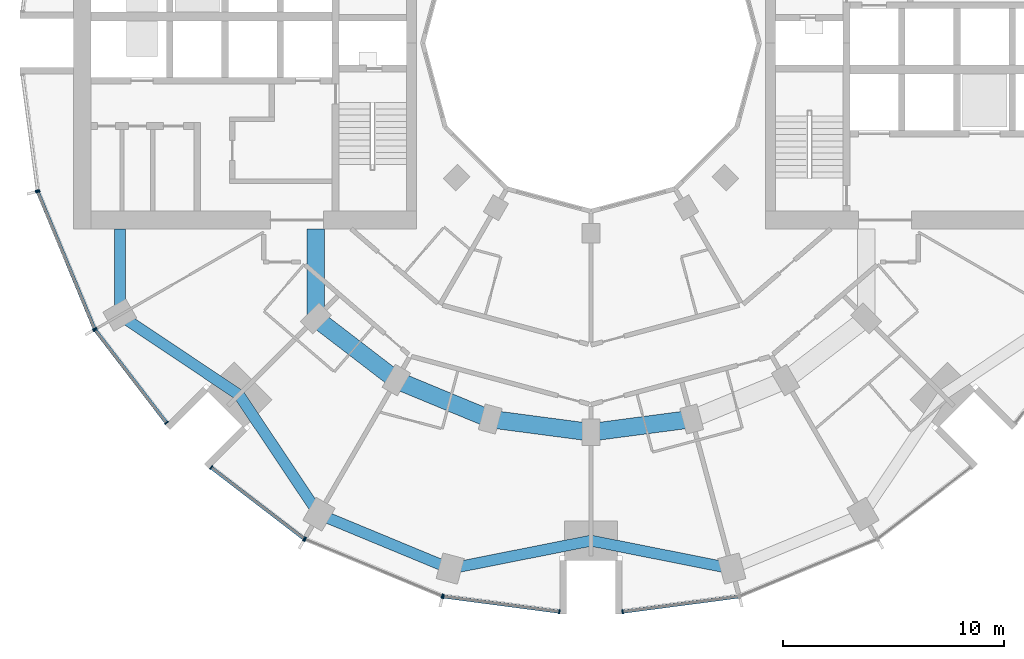
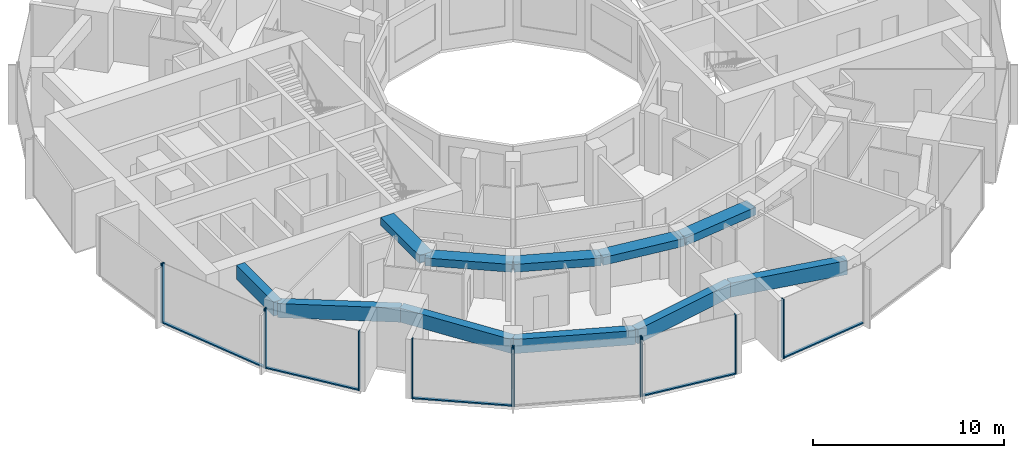
# One storey, part 2 of 15: 17 members, 11 beams, 7 elements without a shape of their own.
"""IFC4 building model written with IfcOpenShell, lengths in metres."""

import ifcopenshell
import ifcopenshell.guid

model = None  # the IFC model being written
_history = None  # IfcOwnerHistory: only IFC2X3 demands one
_inside = {}  # id of a spatial element -> (the spatial element, [elements in it])
_under = {}  # id of a project, library or spatial element -> (it, [spatial elements below it])
_declared = {}  # id of a project -> (the project, [libraries it declares])
_typed = {}  # id of a type object -> (the type object, [elements of that type])
_made_of = {}  # id of a material, layer set ... -> (it, [elements and type objects made of it])


def new_model(schema):
    """Start an empty IFC model of exactly this schema.

    Asked for "IFC4X3", IfcOpenShell would pick the latest addendum, in which some entities
    have other attributes; the version numbers below select the first issue.
    IFC2X3 requires an IfcOwnerHistory on every rooted entity: one is made here for all.
    """
    global model, _history
    if schema == "IFC4X3":
        model = ifcopenshell.file(schema_version=(4, 3, 0, 0))
    else:
        model = ifcopenshell.file(schema=schema)
    _inside.clear()
    _under.clear()
    _declared.clear()
    _typed.clear()
    _made_of.clear()
    _history = None
    if model.schema == "IFC2X3":
        org = make("IfcOrganization", Name="unknown")
        user = make(
            "IfcPersonAndOrganization",
            ThePerson=make("IfcPerson", FamilyName="unknown"),
            TheOrganization=org,
        )
        app = make(
            "IfcApplication",
            ApplicationDeveloper=org,
            Version="unknown",
            ApplicationFullName="unknown",
            ApplicationIdentifier="unknown",
        )
        _history = make(
            "IfcOwnerHistory",
            OwningUser=user,
            OwningApplication=app,
            ChangeAction="ADDED",
            CreationDate=0,
        )
    return model


def make(cls, **values):
    """One entity of the class cls with the attributes given. An attribute that is None is left unset."""
    return model.create_entity(
        cls, **{name: value for name, value in values.items() if value is not None}
    )


def rooted(cls, **values):
    """An entity with a GlobalId (a new one), such as an element, a storey or a relation."""
    return make(cls, GlobalId=ifcopenshell.guid.new(), OwnerHistory=_history, **values)


def si_unit(unit_type, name, prefix=None):
    """IfcSIUnit, for example si_unit("LENGTHUNIT", "METRE", prefix="MILLI")."""
    return make("IfcSIUnit", UnitType=unit_type, Prefix=prefix, Name=name)


def assignment(units):
    """IfcUnitAssignment: the units of a project."""
    return None if units is None else make("IfcUnitAssignment", Units=units)


def point(xyz):
    """IfcCartesianPoint."""
    return None if xyz is None else make("IfcCartesianPoint", Coordinates=xyz)


def direction(xyz):
    """IfcDirection."""
    return None if xyz is None else make("IfcDirection", DirectionRatios=xyz)


def frame(location, z_axis=None, x_axis=None):
    """IfcAxis2Placement3D, a coordinate frame: its origin and axes. An axis left out is left unset."""
    return make(
        "IfcAxis2Placement3D",
        Location=point(location),
        Axis=direction(z_axis),
        RefDirection=direction(x_axis),
    )


def frame_2d(location, x_axis=None):
    """IfcAxis2Placement2D, a coordinate frame in the plane: its origin and x axis."""
    return make(
        "IfcAxis2Placement2D", Location=point(location), RefDirection=direction(x_axis)
    )


def origin():
    """The frame at (0, 0, 0) with its axes left unset."""
    return frame((0.0, 0.0, 0.0))


def origin_2d():
    """The frame at (0, 0) in the plane with its x axis left unset."""
    return frame_2d((0.0, 0.0))


def place(relative_to, where):
    """IfcLocalPlacement: puts the frame where relative to a parent placement (None: the world)."""
    return make(
        "IfcLocalPlacement", PlacementRelTo=relative_to, RelativePlacement=where
    )


def context(
    kind, dimensions, precision=None, world=None, true_north=None, identifier=None
):
    """IfcGeometricRepresentationContext, for example the 3D "Model" context."""
    return make(
        "IfcGeometricRepresentationContext",
        ContextIdentifier=identifier,
        ContextType=kind,
        CoordinateSpaceDimension=dimensions,
        Precision=precision,
        WorldCoordinateSystem=world,
        TrueNorth=true_north,
    )


def subcontext(parent, identifier, kind, view, scale=None):
    """IfcGeometricRepresentationSubContext, for example "Body" below "Model"."""
    return make(
        "IfcGeometricRepresentationSubContext",
        ContextIdentifier=identifier,
        ContextType=kind,
        ParentContext=parent,
        TargetScale=scale,
        TargetView=view,
    )


def project(units=None, contexts=None):
    """IfcProject with its units and contexts."""
    return rooted(
        "IfcProject",
        Name="project",
        RepresentationContexts=contexts,
        UnitsInContext=assignment(units),
    )


def spatial(cls, under=None, at=None, **own):
    """A site, building, storey or space (cls), placed at a placement, below another one or the project."""
    s = rooted(cls, ObjectPlacement=at, **own)
    if under is not None:
        _under.setdefault(under.id(), (under, []))[1].append(s)
    return s


def profile(cls, at=None, kind="AREA", **sizes):
    """A parametric profile (cls). Its sizes go by their IFC names, for example OverallWidth=200.0."""
    return make(cls, ProfileType=kind, Position=at, **sizes)


def rectangle(**sizes):
    """IfcRectangleProfileDef."""
    return profile("IfcRectangleProfileDef", **sizes)


def extrude(swept, where, along, depth):
    """IfcExtrudedAreaSolid: the profile swept, set in the frame where, extruded along a direction by depth."""
    return make(
        "IfcExtrudedAreaSolid",
        SweptArea=swept,
        Position=where,
        ExtrudedDirection=direction(along),
        Depth=depth,
    )


def shape(context_of_items, identifier, shape_type, items):
    """IfcShapeRepresentation: the items that make up one representation, for example the "Body"."""
    return make(
        "IfcShapeRepresentation",
        ContextOfItems=context_of_items,
        RepresentationIdentifier=identifier,
        RepresentationType=shape_type,
        Items=items,
    )


def material(Name=None, Category=None):
    """IfcMaterial."""
    return make("IfcMaterial", Name=Name, Category=Category)


def layer(
    of_material, thickness, ventilated=None, Name=None, Category=None, Priority=None
):
    """IfcMaterialLayer: one layer of a wall or slab, of a material (None: an air gap)."""
    return make(
        "IfcMaterialLayer",
        Material=of_material,
        LayerThickness=thickness,
        IsVentilated=ventilated,
        Name=Name,
        Category=Category,
        Priority=Priority,
    )


def layer_set(layers, Name=None):
    """IfcMaterialLayerSet."""
    return make("IfcMaterialLayerSet", MaterialLayers=layers, LayerSetName=Name)


def material_profile(
    of_material, cross_section, Name=None, Category=None, Priority=None
):
    """IfcMaterialProfile: a cross section and its material."""
    return make(
        "IfcMaterialProfile",
        Name=Name,
        Material=of_material,
        Profile=cross_section,
        Priority=Priority,
        Category=Category,
    )


def profile_set(profiles, Name=None, composite=None):
    """IfcMaterialProfileSet."""
    return make(
        "IfcMaterialProfileSet",
        Name=Name,
        MaterialProfiles=profiles,
        CompositeProfile=composite,
    )


def made_of(thing, what):
    """Note that an element or type object is made of a material, layer set ...; save() writes the relation."""
    if what is not None:
        _made_of.setdefault(what.id(), (what, []))[1].append(thing)
    return thing


def type_object(cls, material=None, **own):
    """A type object (cls), such as IfcWallType, which elements share."""
    return made_of(rooted(cls, **own), material)


def element(
    cls,
    number,
    at=None,
    inside=None,
    cuts=None,
    type_object=None,
    material=None,
    context=None,
    identifier="Body",
    shape_type=None,
    held_by="IfcProductDefinitionShape",
    body=None,
    shapes=None,
    **own,
):
    """One element of the class cls, such as IfcWall. Its Tag is "e" and its number.

    at: its placement. inside: the storey or other place that contains it. cuts: it is an
    opening in that element (IfcRelVoidsElement). A single representation is given by context,
    identifier, shape_type and body (its items); several are given by shapes. held_by: the class
    of the entity that holds the representations. save() writes the other relations.
    """
    e = rooted(cls, Tag="e%d" % number, ObjectPlacement=at, **own)
    if body is not None:
        shapes = [shape(context, identifier, shape_type, body)]
    if shapes is not None:
        e.Representation = make(held_by, Representations=shapes)
    if inside is not None:
        _inside.setdefault(inside.id(), (inside, []))[1].append(e)
    if cuts is not None:
        rooted(
            "IfcRelVoidsElement", RelatingBuildingElement=cuts, RelatedOpeningElement=e
        )
    if type_object is not None:
        _typed.setdefault(type_object.id(), (type_object, []))[1].append(e)
    return made_of(e, material)


def aggregate(whole, parts):
    """IfcRelAggregates: a whole, such as a stair, and the parts it consists of."""
    return rooted("IfcRelAggregates", RelatingObject=whole, RelatedObjects=parts)


def save(model, path):
    """Write the relations noted so far, then the file.

    IfcRelAggregates (storeys below a building ...), IfcRelContainedInSpatialStructure (elements
    in a storey), IfcRelDefinesByType, IfcRelAssociatesMaterial and IfcRelDeclares: one each for
    every whole, place, type object, material and project.
    """
    for whole, parts in _under.values():
        aggregate(whole, parts)
    for where, things in _inside.values():
        rooted(
            "IfcRelContainedInSpatialStructure",
            RelatedElements=things,
            RelatingStructure=where,
        )
    for kind, things in _typed.values():
        rooted("IfcRelDefinesByType", RelatedObjects=things, RelatingType=kind)
    for what, things in _made_of.values():
        rooted("IfcRelAssociatesMaterial", RelatedObjects=things, RelatingMaterial=what)
    for by, libraries in _declared.values():
        rooted("IfcRelDeclares", RelatingContext=by, RelatedDefinitions=libraries)
    model.write(path)


model = new_model("IFC4")

# Units and contexts
model_context = context("Model", 3, precision=1e-05, world=origin(), true_north=direction((0.0, 1.0)))
body_context = subcontext(model_context, "Body", "Model", "MODEL_VIEW")
ifc_project = project(units=[si_unit("LENGTHUNIT", "METRE"), si_unit("AREAUNIT", "SQUARE_METRE"), si_unit("VOLUMEUNIT", "CUBIC_METRE"), si_unit("PLANEANGLEUNIT", "RADIAN"), si_unit("MASSUNIT", "GRAM", prefix="KILO")], contexts=[model_context])

# Site, building, storey
site_placement = place(None, origin())
site = spatial("IfcSite", under=ifc_project, at=site_placement, CompositionType="ELEMENT")
building_placement = place(site_placement, origin())
building = spatial("IfcBuilding", under=site, at=building_placement, Name="Torre Brocal", CompositionType="ELEMENT")
storey_placement = place(building_placement, frame((0.0, 0.0, 32.60009765625)))
storey = spatial("IfcBuildingStorey", under=building, at=storey_placement, Name="L06", CompositionType="ELEMENT", Elevation=32.60009765625)

# Curtain wall, members
ifc_material_1 = material(Name="Aluminium and glass", Category="aluminium")
ifc_layer_1 = layer(ifc_material_1, 0.199951171875)
ifc_layer_set_1 = layer_set([ifc_layer_1], Name="Aluminium and glass")
curtain_wall_type_1 = type_object("IfcCurtainWallType", Name="CW-1 CURTAIN WALL 3800 HIGH", PredefinedType="NOTDEFINED", material=ifc_layer_set_1)
curtain_wall_1_placement = place(storey_placement, origin())
curtain_wall_1 = element("IfcCurtainWall", 1, at=curtain_wall_1_placement, inside=storey, type_object=curtain_wall_type_1, Name="CW-1 RUN 14", PredefinedType="NOTDEFINED")
ifc_material_2 = material(Name="Aluminium, dark anodised", Category="aluminium")
ifc_material_profile_1 = material_profile(ifc_material_2, rectangle(XDim=0.199951171875, YDim=0.06005859375, at=origin_2d()), Name="CW-1 MULLION 60X200")
ifc_profile_set_1 = profile_set([ifc_material_profile_1], Name="Aluminium, dark anodised")
member_type_1 = type_object("IfcMemberType", Name="CW-1 MULLION 60X200", PredefinedType="MULLION", material=ifc_profile_set_1)
member_1_placement = place(storey_placement, frame((54.994873046875, 68.26904296875, 0.0), z_axis=(0.0, 0.0, 1.0), x_axis=(0.923879532525, 0.382683432333, 0.0)))
member_1 = element("IfcMember", 2, at=member_1_placement, type_object=member_type_1, Name="CW1-1 mullion 1", PredefinedType="MULLION", context=body_context, shape_type="SweptSolid", body=[
    extrude(rectangle(XDim=0.199951171875, YDim=0.06005859375, at=origin_2d()), origin(), (0.0, 0.0, 1.0), 3.7998046875),
])
member_2_placement = place(storey_placement, frame((57.559326171875, 62.078125, 0.0), z_axis=(0.0, 0.0, 1.0), x_axis=(0.923879532525, 0.382683432333, 0.0)))
member_2 = element("IfcMember", 3, at=member_2_placement, type_object=member_type_1, Name="CW1-1 mullion 2", PredefinedType="MULLION", context=body_context, shape_type="SweptSolid", body=[
    extrude(rectangle(XDim=0.199951171875, YDim=0.06005859375, at=origin_2d()), origin(), (0.0, 0.0, 1.0), 3.7998046875),
])

curtain_wall_2_placement = place(storey_placement, origin())
curtain_wall_2 = element("IfcCurtainWall", 4, at=curtain_wall_2_placement, inside=storey, type_object=curtain_wall_type_1, Name="CW-1 RUN 15", PredefinedType="NOTDEFINED")
member_3_placement = place(storey_placement, frame((57.5888671875, 62.026611328125, 0.0), z_axis=(0.0, 0.0, 1.0), x_axis=(0.793353340259, 0.60876142905, 0.0)))
member_3 = element("IfcMember", 5, at=member_3_placement, type_object=member_type_1, Name="CW1-1 mullion 1", PredefinedType="MULLION", context=body_context, shape_type="SweptSolid", body=[
    extrude(rectangle(XDim=0.199951171875, YDim=0.06005859375, at=origin_2d()), origin(), (0.0, 0.0, 1.0), 3.7998046875),
])
member_4_placement = place(storey_placement, frame((60.80859375, 57.83056640625, 0.0), z_axis=(0.0, 0.0, 1.0), x_axis=(0.793353340259, 0.60876142905, 0.0)))
member_4 = element("IfcMember", 6, at=member_4_placement, type_object=member_type_1, Name="CW1-1 mullion 2", PredefinedType="MULLION", context=body_context, shape_type="SweptSolid", body=[
    extrude(rectangle(XDim=0.199951171875, YDim=0.06005859375, at=origin_2d()), origin(), (0.0, 0.0, 1.0), 3.7998046875),
])

curtain_wall_3_placement = place(storey_placement, origin())
curtain_wall_3 = element("IfcCurtainWall", 7, at=curtain_wall_3_placement, inside=storey, type_object=curtain_wall_type_1, Name="CW-1 RUN 16", PredefinedType="NOTDEFINED")
member_5_placement = place(storey_placement, frame((62.83056640625, 55.80859375, 0.0), z_axis=(0.0, 0.0, 1.0), x_axis=(0.60876142905, 0.793353340259, 0.0)))
member_5 = element("IfcMember", 8, at=member_5_placement, type_object=member_type_1, Name="CW1-1 mullion 1", PredefinedType="MULLION", context=body_context, shape_type="SweptSolid", body=[
    extrude(rectangle(XDim=0.199951171875, YDim=0.06005859375, at=origin_2d()), origin(), (0.0, 0.0, 1.0), 3.7998046875),
])
member_6_placement = place(storey_placement, frame((67.026611328125, 52.5888671875, 0.0), z_axis=(0.0, 0.0, 1.0), x_axis=(0.60876142905, 0.793353340259, 0.0)))
member_6 = element("IfcMember", 9, at=member_6_placement, type_object=member_type_1, Name="CW1-1 mullion 2", PredefinedType="MULLION", context=body_context, shape_type="SweptSolid", body=[
    extrude(rectangle(XDim=0.199951171875, YDim=0.06005859375, at=origin_2d()), origin(), (0.0, 0.0, 1.0), 3.7998046875),
])

curtain_wall_4_placement = place(storey_placement, origin())
curtain_wall_4 = element("IfcCurtainWall", 10, at=curtain_wall_4_placement, inside=storey, type_object=curtain_wall_type_1, Name="CW-1 RUN 17", PredefinedType="NOTDEFINED")
member_7_placement = place(storey_placement, frame((67.078125, 52.559326171875, 0.0), z_axis=(0.0, 0.0, 1.0), x_axis=(0.382683432333, 0.923879532525, 0.0)))
member_7 = element("IfcMember", 11, at=member_7_placement, type_object=member_type_1, Name="CW1-1 mullion 1", PredefinedType="MULLION", context=body_context, shape_type="SweptSolid", body=[
    extrude(rectangle(XDim=0.199951171875, YDim=0.06005859375, at=origin_2d()), origin(), (0.0, 0.0, 1.0), 3.7998046875),
])
member_8_placement = place(storey_placement, frame((73.26904296875, 49.994873046875, 0.0), z_axis=(0.0, 0.0, 1.0), x_axis=(0.382683432333, 0.923879532525, 0.0)))
member_8 = element("IfcMember", 12, at=member_8_placement, type_object=member_type_1, Name="CW1-1 mullion 2", PredefinedType="MULLION", context=body_context, shape_type="SweptSolid", body=[
    extrude(rectangle(XDim=0.199951171875, YDim=0.06005859375, at=origin_2d()), origin(), (0.0, 0.0, 1.0), 3.7998046875),
])
aggregate(curtain_wall_4, [member_7, member_8])

curtain_wall_5_placement = place(storey_placement, origin())
curtain_wall_5 = element("IfcCurtainWall", 13, at=curtain_wall_5_placement, inside=storey, type_object=curtain_wall_type_1, Name="CW-1 RUN 18", PredefinedType="NOTDEFINED")
member_9_placement = place(storey_placement, frame((73.32666015625, 49.9794921875, 0.0), z_axis=(0.0, 0.0, 1.0), x_axis=(0.13052619222, 0.991444861374, 0.0)))
member_9 = element("IfcMember", 14, at=member_9_placement, type_object=member_type_1, Name="CW1-1 mullion 1", PredefinedType="MULLION", context=body_context, shape_type="SweptSolid", body=[
    extrude(rectangle(XDim=0.199951171875, YDim=0.06005859375, at=origin_2d()), origin(), (0.0, 0.0, 1.0), 3.7998046875),
])
member_10_placement = place(storey_placement, frame((78.5703125, 49.2890625, 0.0), z_axis=(0.0, 0.0, 1.0), x_axis=(0.13052619222, 0.991444861374, 0.0)))
member_10 = element("IfcMember", 15, at=member_10_placement, type_object=member_type_1, Name="CW1-1 mullion 2", PredefinedType="MULLION", context=body_context, shape_type="SweptSolid", body=[
    extrude(rectangle(XDim=0.199951171875, YDim=0.06005859375, at=origin_2d()), origin(), (0.0, 0.0, 1.0), 3.7998046875),
])

# Curtain wall, member
curtain_wall_6_placement = place(storey_placement, origin())
curtain_wall_6 = element("IfcCurtainWall", 16, at=curtain_wall_6_placement, inside=storey, type_object=curtain_wall_type_1, Name="CW-1 RUN 19", PredefinedType="NOTDEFINED")
member_11_placement = place(storey_placement, frame((81.4296875, 49.2890625, 0.0), z_axis=(0.0, 0.0, 1.0), x_axis=(-0.13052619222, 0.991444861374, 0.0)))
member_11 = element("IfcMember", 17, at=member_11_placement, type_object=member_type_1, Name="CW1-1 mullion 1", PredefinedType="MULLION", context=body_context, shape_type="SweptSolid", body=[
    extrude(rectangle(XDim=0.199951171875, YDim=0.06005859375, at=origin_2d()), origin(), (0.0, 0.0, 1.0), 3.7998046875),
])

# Member
ifc_material_3 = material(Name="Aluminium, dark anodised", Category="aluminium")
ifc_material_profile_2 = material_profile(ifc_material_3, rectangle(XDim=0.159912109375, YDim=0.080078125, at=origin_2d()), Name="CW-1 TRANSOM 160X80")
ifc_profile_set_2 = profile_set([ifc_material_profile_2], Name="Aluminium, dark anodised")
member_type_2 = type_object("IfcMemberType", Name="CW-1 TRANSOM 160X80", PredefinedType="USERDEFINED", material=ifc_profile_set_2)
member_12_placement = place(storey_placement, frame((55.00634765625, 68.241455078125, 0.039794921875), z_axis=(0.38266457234, -0.923887344364, 0.0), x_axis=(0.923887344364, 0.38266457234, 0.0)))
member_12 = element("IfcMember", 18, at=member_12_placement, type_object=member_type_2, Name="CW1-1 transom 1.1", ObjectType="TRANSOM", PredefinedType="USERDEFINED", context=body_context, shape_type="SweptSolid", body=[
    extrude(rectangle(XDim=0.159912109375, YDim=0.080078125, at=origin_2d()), origin(), (0.0, 0.0, 1.0), 6.640869140625),
])

aggregate(curtain_wall_1, [member_1, member_2, member_12])

member_13_placement = place(storey_placement, frame((57.607177734375, 62.0029296875, 0.039794921875), z_axis=(0.60874908096, -0.79336281513, 0.0), x_axis=(0.79336281513, 0.60874908096, 0.0)))
member_13 = element("IfcMember", 19, at=member_13_placement, type_object=member_type_2, Name="CW1-1 transom 1.1", ObjectType="TRANSOM", PredefinedType="USERDEFINED", context=body_context, shape_type="SweptSolid", body=[
    extrude(rectangle(XDim=0.159912109375, YDim=0.080078125, at=origin_2d()), origin(), (0.0, 0.0, 1.0), 5.22900390625),
])

aggregate(curtain_wall_2, [member_3, member_4, member_13])

member_14_placement = place(storey_placement, frame((62.8544921875, 55.790283203125, 0.039794921875), z_axis=(0.79336281513, -0.60874908096, 0.0), x_axis=(0.60874908096, 0.79336281513, 0.0)))
member_14 = element("IfcMember", 20, at=member_14_placement, type_object=member_type_2, Name="CW1-1 transom 1.1", ObjectType="TRANSOM", PredefinedType="USERDEFINED", context=body_context, shape_type="SweptSolid", body=[
    extrude(rectangle(XDim=0.159912109375, YDim=0.080078125, at=origin_2d()), origin(), (0.0, 0.0, 1.0), 5.22900390625),
])

aggregate(curtain_wall_3, [member_5, member_6, member_14])

member_15_placement = place(storey_placement, frame((73.356201171875, 49.9755859375, 0.039794921875), z_axis=(0.991442690863, -0.130542677827, 0.0), x_axis=(0.130542677827, 0.991442690863, 0.0)))
member_15 = element("IfcMember", 21, at=member_15_placement, type_object=member_type_2, Name="CW1-1 transom 1.1", ObjectType="TRANSOM", PredefinedType="USERDEFINED", context=body_context, shape_type="SweptSolid", body=[
    extrude(rectangle(XDim=0.159912109375, YDim=0.080078125, at=origin_2d()), origin(), (0.0, 0.0, 1.0), 5.22900390625),
])

aggregate(curtain_wall_5, [member_9, member_10, member_15])

member_16_placement = place(storey_placement, frame((81.45947265625, 49.29296875, 0.039794921875), z_axis=(0.991442690863, 0.130542677827, 0.0), x_axis=(-0.130542677827, 0.991442690863, 0.0)))
member_16 = element("IfcMember", 22, at=member_16_placement, type_object=member_type_2, Name="CW1-1 transom 1.1", ObjectType="TRANSOM", PredefinedType="USERDEFINED", context=body_context, shape_type="SweptSolid", body=[
    extrude(rectangle(XDim=0.159912109375, YDim=0.080078125, at=origin_2d()), origin(), (0.0, 0.0, 1.0), 5.22900390625),
])

aggregate(curtain_wall_6, [member_11, member_16])

# Curtain wall, member
ifc_material_4 = material(Name="Aluminium and glass", Category="aluminium")
ifc_layer_2 = layer(ifc_material_4, 0.199951171875)
ifc_layer_set_2 = layer_set([ifc_layer_2], Name="Aluminium and glass")
curtain_wall_type_2 = type_object("IfcCurtainWallType", Name="CW-1B CURTAIN WALL 3800 HIGH", PredefinedType="NOTDEFINED", material=ifc_layer_set_2)
curtain_wall_7_placement = place(storey_placement, origin())
curtain_wall_7 = element("IfcCurtainWall", 23, at=curtain_wall_7_placement, inside=storey, type_object=curtain_wall_type_2, Name="CW-1B RUN 13", PredefinedType="NOTDEFINED")
ifc_material_5 = material(Name="Aluminium, dark anodised", Category="aluminium")
ifc_material_profile_3 = material_profile(ifc_material_5, rectangle(XDim=0.199951171875, YDim=0.06005859375, at=origin_2d()), Name="CW-1B MULLION 60X200")
ifc_profile_set_3 = profile_set([ifc_material_profile_3], Name="Aluminium, dark anodised")
member_type_3 = type_object("IfcMemberType", Name="CW-1B MULLION 60X200", PredefinedType="MULLION", material=ifc_profile_set_3)
member_17_placement = place(storey_placement, frame((54.9794921875, 68.32666015625, 0.0), z_axis=(0.0, 0.0, 1.0), x_axis=(0.991444861374, 0.13052619222, 0.0)))
member_17 = element("IfcMember", 24, at=member_17_placement, type_object=member_type_3, Name="CW1B-1 mullion 2", PredefinedType="MULLION", context=body_context, shape_type="SweptSolid", body=[
    extrude(rectangle(XDim=0.199951171875, YDim=0.06005859375, at=origin_2d()), origin(), (0.0, 0.0, 1.0), 3.7998046875),
])
aggregate(curtain_wall_7, [member_17])

# Beams
ifc_material_6 = material(Name="Concrete C50", Category="concrete")
ifc_material_profile_4 = material_profile(ifc_material_6, rectangle(XDim=0.800048828125, YDim=0.5, at=origin_2d()), Name="RC 800X500")
ifc_profile_set_4 = profile_set([ifc_material_profile_4], Name="Concrete C50")
beam_type_1 = type_object("IfcBeamType", Name="RC BEAM 800X500 C50 TOP 3480", PredefinedType="BEAM", material=ifc_profile_set_4)
beam_1_placement = place(storey_placement, frame((67.554931640625, 62.554931640625, 3.22998046875), z_axis=(0.0, 1.0, 0.0), x_axis=(-1.0, 0.0, 0.0)))
element("IfcBeam", 25, at=beam_1_placement, inside=storey, type_object=beam_type_1, Name="Beam BT-19", PredefinedType="BEAM", context=body_context, shape_type="SweptSolid", body=[
    extrude(rectangle(XDim=0.800048828125, YDim=0.5, at=origin_2d()), origin(), (0.0, 0.0, 1.0), 4.045166015625),
])
beam_2_placement = place(storey_placement, frame((67.554931640625, 62.554931640625, 3.22998046875), z_axis=(0.793358265959, -0.6087550097, 0.0), x_axis=(0.6087550097, 0.793358265959, 0.0)))
element("IfcBeam", 26, at=beam_2_placement, inside=storey, type_object=beam_type_1, Name="Beam BT-19", PredefinedType="BEAM", context=body_context, shape_type="SweptSolid", body=[
    extrude(rectangle(XDim=0.800048828125, YDim=0.5, at=origin_2d()), origin(), (0.0, 0.0, 1.0), 4.594482421875),
])
beam_3_placement = place(storey_placement, frame((71.199951171875, 59.758056640625, 3.22998046875), z_axis=(0.923878240166, -0.382686552348, 0.0), x_axis=(0.382686552348, 0.923878240166, 0.0)))
element("IfcBeam", 27, at=beam_3_placement, inside=storey, type_object=beam_type_1, Name="Beam BT-19", PredefinedType="BEAM", context=body_context, shape_type="SweptSolid", body=[
    extrude(rectangle(XDim=0.800048828125, YDim=0.5, at=origin_2d()), origin(), (0.0, 0.0, 1.0), 4.5947265625),
])
for number, where, z_axis, x_axis, name in (
    (28, (75.44482421875, 57.999755859375, 3.22998046875), (0.991440544449, -0.130558978332, 0.0), (0.130558978332, 0.991440544449, 0.0), "Beam BT-19"),
    (29, (80.0, 57.39990234375, 3.22998046875), (0.991440544449, 0.130558978332, 0.0), (-0.130558978332, 0.991440544449, 0.0), "Beam BT-19"),
):
    element("IfcBeam", number, at=place(storey_placement, frame(where, z_axis=z_axis, x_axis=x_axis)), inside=storey, type_object=beam_type_1, Name=name, PredefinedType="BEAM", context=body_context, shape_type="SweptSolid", body=[
        extrude(rectangle(XDim=0.800048828125, YDim=0.5, at=origin_2d()), origin(), (0.0, 0.0, 1.0), 4.594482421875),
    ])
ifc_material_7 = material(Name="Concrete C50", Category="concrete")
ifc_material_profile_5 = material_profile(ifc_material_7, rectangle(XDim=0.5, YDim=0.89990234375, at=origin_2d()), Name="RC 500X900")
ifc_profile_set_5 = profile_set([ifc_material_profile_5], Name="Concrete C50")
beam_type_2 = type_object("IfcBeamType", Name="RC SPANDREL BEAM 500X900 C50 TOP 3480", PredefinedType="SPANDREL", material=ifc_profile_set_5)
beam_4_placement = place(storey_placement, frame((58.69580078125, 62.699951171875, 3.02978515625), z_axis=(0.0, 1.0, 0.0), x_axis=(-1.0, 0.0, 0.0)))
element("IfcBeam", 30, at=beam_4_placement, inside=storey, type_object=beam_type_2, Name="Beam BT-20", PredefinedType="SPANDREL", context=body_context, shape_type="SweptSolid", body=[
    extrude(rectangle(XDim=0.5, YDim=0.89990234375, at=origin_2d()), origin(), (0.0, 0.0, 1.0), 3.900146484375),
])
for number, where, z_axis, x_axis, name in (
    (31, (58.69580078125, 62.699951171875, 3.02978515625), (0.831076844476, -0.556157602282, 0.0), (0.556157602282, 0.831076844476, 0.0), "Beam BT-20"),
    (32, (64.090087890625, 59.090087890625, 3.02978515625), (0.556157602282, -0.831076844476, 0.0), (0.831076844476, 0.556157602282, 0.0), "Beam BT-20"),
):
    element("IfcBeam", number, at=place(storey_placement, frame(where, z_axis=z_axis, x_axis=x_axis)), inside=storey, type_object=beam_type_2, Name=name, PredefinedType="SPANDREL", context=body_context, shape_type="SweptSolid", body=[
        extrude(rectangle(XDim=0.5, YDim=0.89990234375, at=origin_2d()), origin(), (0.0, 0.0, 1.0), 6.49072265625),
    ])
beam_5_placement = place(storey_placement, frame((67.699951171875, 53.69580078125, 3.02978515625), z_axis=(0.923882462513, -0.382676358639, 0.0), x_axis=(0.382676358639, 0.923882462513, 0.0)))
element("IfcBeam", 33, at=beam_5_placement, inside=storey, type_object=beam_type_2, Name="Beam BT-20", PredefinedType="SPANDREL", context=body_context, shape_type="SweptSolid", body=[
    extrude(rectangle(XDim=0.5, YDim=0.89990234375, at=origin_2d()), origin(), (0.0, 0.0, 1.0), 6.421875),
])
for number, where, z_axis, x_axis, name in (
    (34, (73.633056640625, 51.23828125, 3.02978515625), (0.980924907484, 0.194387051723, 0.0), (-0.194387051723, 0.980924907484, 0.0), "Beam BT-20"),
    (35, (80.0, 52.5, 3.02978515625), (0.980924907484, -0.194387051723, 0.0), (0.194387051723, 0.980924907484, 0.0), "Beam BT-20"),
):
    element("IfcBeam", number, at=place(storey_placement, frame(where, z_axis=z_axis, x_axis=x_axis)), inside=storey, type_object=beam_type_2, Name=name, PredefinedType="SPANDREL", context=body_context, shape_type="SweptSolid", body=[
        extrude(rectangle(XDim=0.5, YDim=0.89990234375, at=origin_2d()), origin(), (0.0, 0.0, 1.0), 6.49072265625),
    ])

save(model, "model.ifc")
